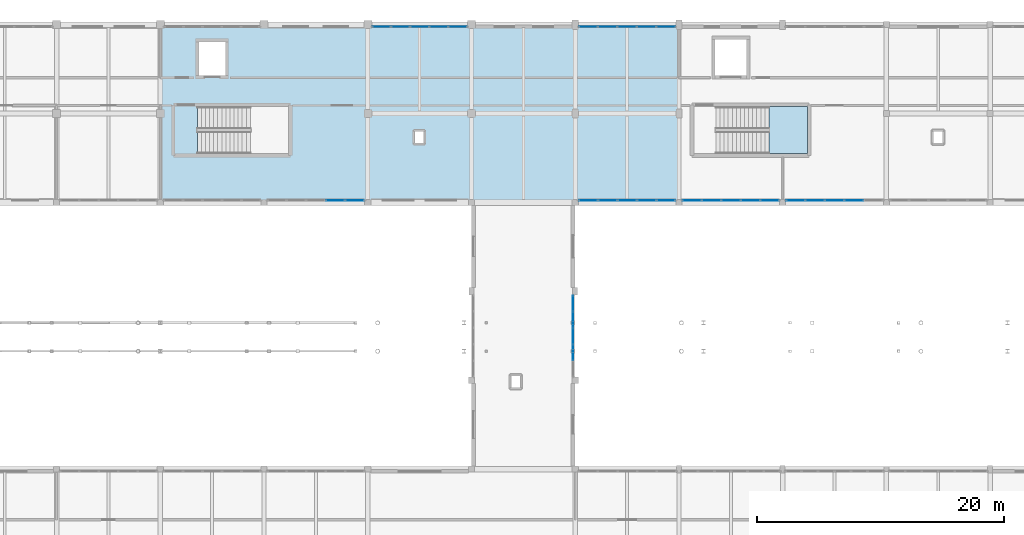
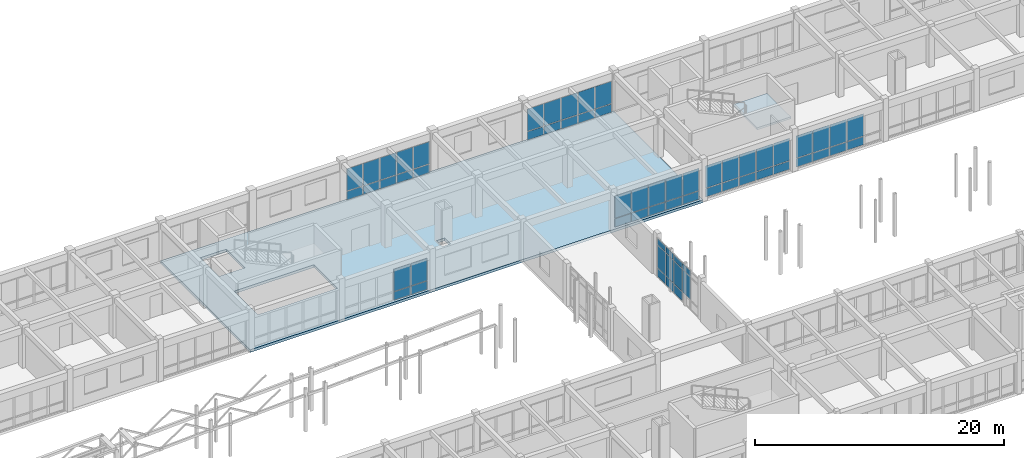
# One storey, part 67 of 89: 63 plates, 2 slabs, 8 elements without a shape of their own.
"""IFC4 building model written with IfcOpenShell, lengths in metres."""

from ifc_helpers import new_model, si_unit, direction, frame, origin, origin_2d, place, context, subcontext, project, spatial, polyline, rectangle, outline, extrude, material, layer, layer_set, type_object, element, aggregate, save


model = new_model("IFC4")

# Units and contexts
model_context = context("Model", 3, precision=1e-05, world=origin(), true_north=direction((0.0, 1.0)))
body_context = subcontext(model_context, "Body", "Model", "MODEL_VIEW")
ifc_project = project(units=[si_unit("LENGTHUNIT", "METRE"), si_unit("AREAUNIT", "SQUARE_METRE"), si_unit("VOLUMEUNIT", "CUBIC_METRE"), si_unit("PLANEANGLEUNIT", "RADIAN"), si_unit("MASSUNIT", "GRAM", prefix="KILO")], contexts=[model_context])

# Site, building, storey
site_placement = place(None, origin())
site = spatial("IfcSite", under=ifc_project, at=site_placement, CompositionType="ELEMENT")
building_placement = place(site_placement, origin())
building = spatial("IfcBuilding", under=site, at=building_placement, Name="Malvenik Polytechnic", CompositionType="ELEMENT")
storey_placement = place(building_placement, frame((0.0, 0.0, 13.5)))
storey = spatial("IfcBuildingStorey", under=building, at=storey_placement, Name="L03", CompositionType="ELEMENT", Elevation=13.5)

# Curtain wall, plates
ifc_material_1 = material(Name="Anodised aluminium 6060-T6", Category="aluminium")
curtain_wall_type_1 = type_object("IfcCurtainWallType", Name="ARC-CW-CW-02", PredefinedType="NOTDEFINED", material=ifc_material_1)
curtain_wall_1_placement = place(storey_placement, origin())
curtain_wall_1 = element("IfcCurtainWall", 1, at=curtain_wall_1_placement, inside=storey, type_object=curtain_wall_type_1, Name="Unitised Curtain Wall CW-02 L03 #168", PredefinedType="NOTDEFINED")
ifc_material_2 = material(Name="Insulated low-E double glazing 8-16-8", Category="glass")
ifc_layer_1 = layer(ifc_material_2, 0.028076171875)
ifc_layer_set_1 = layer_set([ifc_layer_1], Name="Insulated low-E double glazing 8-16-8")
plate_type_1 = type_object("IfcPlateType", Name="ARC-CWP-CP-GLZ28", PredefinedType="CURTAIN_PANEL", material=ifc_layer_set_1)
plate_1_placement = place(storey_placement, frame((66.146484375, 115.3701171875, 0.929931640625), z_axis=(0.0, 0.0, 1.0), x_axis=(-1.0, 0.0, 0.0)))
plate_1 = element("IfcPlate", 2, at=plate_1_placement, type_object=plate_type_1, Name="CW-02 panel 1.2", PredefinedType="CURTAIN_PANEL", context=body_context, shape_type="SweptSolid", body=[
    extrude(rectangle(XDim=1.49072265625, YDim=0.028076171875, at=origin_2d()), origin(), (0.0, 0.0, 1.0), 2.169921875),
])
plate_2_placement = place(storey_placement, frame((64.580810546875, 115.3701171875, 0.929931640625), z_axis=(0.0, 0.0, 1.0), x_axis=(-1.0, 0.0, 0.0)))
plate_2 = element("IfcPlate", 3, at=plate_2_placement, type_object=plate_type_1, Name="CW-02 panel 2.2", PredefinedType="CURTAIN_PANEL", context=body_context, shape_type="SweptSolid", body=[
    extrude(rectangle(XDim=1.520751953125, YDim=0.028076171875, at=origin_2d()), origin(), (0.0, 0.0, 1.0), 2.169921875),
])

curtain_wall_2_placement = place(storey_placement, origin())
curtain_wall_2 = element("IfcCurtainWall", 4, at=curtain_wall_2_placement, inside=storey, type_object=curtain_wall_type_1, Name="Unitised Curtain Wall CW-02 L03 #178", PredefinedType="NOTDEFINED")
plate_3_placement = place(storey_placement, frame((68.3134765625, 129.429931640625, 0.929931640625), z_axis=(0.0, 0.0, 1.0), x_axis=(1.0, 0.0, 0.0)))
plate_3 = element("IfcPlate", 5, at=plate_3_placement, type_object=plate_type_1, Name="CW-02 panel 1.2", PredefinedType="CURTAIN_PANEL", context=body_context, shape_type="SweptSolid", body=[
    extrude(rectangle(XDim=1.460693359375, YDim=0.028076171875, at=origin_2d()), origin(), (0.0, 0.0, 1.0), 2.169921875),
])
plate_4_placement = place(storey_placement, frame((69.84912109375, 129.429931640625, 0.929931640625), z_axis=(0.0, 0.0, 1.0), x_axis=(1.0, 0.0, 0.0)))
plate_4 = element("IfcPlate", 6, at=plate_4_placement, type_object=plate_type_1, Name="CW-02 panel 2.2", PredefinedType="CURTAIN_PANEL", context=body_context, shape_type="SweptSolid", body=[
    extrude(rectangle(XDim=1.49072265625, YDim=0.028076171875, at=origin_2d()), origin(), (0.0, 0.0, 1.0), 2.169921875),
])
plate_5_placement = place(storey_placement, frame((71.39990234375, 129.429931640625, 0.929931640625), z_axis=(0.0, 0.0, 1.0), x_axis=(1.0, 0.0, 0.0)))
plate_5 = element("IfcPlate", 7, at=plate_5_placement, type_object=plate_type_1, Name="CW-02 panel 3.2", PredefinedType="CURTAIN_PANEL", context=body_context, shape_type="SweptSolid", body=[
    extrude(rectangle(XDim=1.49072265625, YDim=0.028076171875, at=origin_2d()), origin(), (0.0, 0.0, 1.0), 2.169921875),
])
plate_6_placement = place(storey_placement, frame((72.95068359375, 129.429931640625, 0.929931640625), z_axis=(0.0, 0.0, 1.0), x_axis=(1.0, 0.0, 0.0)))
plate_6 = element("IfcPlate", 8, at=plate_6_placement, type_object=plate_type_1, Name="CW-02 panel 4.2", PredefinedType="CURTAIN_PANEL", context=body_context, shape_type="SweptSolid", body=[
    extrude(rectangle(XDim=1.49072265625, YDim=0.028076171875, at=origin_2d()), origin(), (0.0, 0.0, 1.0), 2.169921875),
])
plate_7_placement = place(storey_placement, frame((74.486572265625, 129.429931640625, 0.929931640625), z_axis=(0.0, 0.0, 1.0), x_axis=(1.0, 0.0, 0.0)))
plate_7 = element("IfcPlate", 9, at=plate_7_placement, type_object=plate_type_1, Name="CW-02 panel 5.2", PredefinedType="CURTAIN_PANEL", context=body_context, shape_type="SweptSolid", body=[
    extrude(rectangle(XDim=1.460693359375, YDim=0.028076171875, at=origin_2d()), origin(), (0.0, 0.0, 1.0), 2.169921875),
])

curtain_wall_3_placement = place(storey_placement, origin())
curtain_wall_3 = element("IfcCurtainWall", 10, at=curtain_wall_3_placement, inside=storey, type_object=curtain_wall_type_1, Name="Unitised Curtain Wall CW-02 L03 #179", PredefinedType="NOTDEFINED")
plate_8_placement = place(storey_placement, frame((85.053466796875, 129.429931640625, 0.929931640625), z_axis=(0.0, 0.0, 1.0), x_axis=(1.0, 0.0, 0.0)))
plate_8 = element("IfcPlate", 11, at=plate_8_placement, type_object=plate_type_1, Name="CW-02 panel 1.2", PredefinedType="CURTAIN_PANEL", context=body_context, shape_type="SweptSolid", body=[
    extrude(rectangle(XDim=1.49072265625, YDim=0.028076171875, at=origin_2d()), origin(), (0.0, 0.0, 1.0), 2.169921875),
])
plate_9_placement = place(storey_placement, frame((86.619140625, 129.429931640625, 0.929931640625), z_axis=(0.0, 0.0, 1.0), x_axis=(1.0, 0.0, 0.0)))
plate_9 = element("IfcPlate", 12, at=plate_9_placement, type_object=plate_type_1, Name="CW-02 panel 2.2", PredefinedType="CURTAIN_PANEL", context=body_context, shape_type="SweptSolid", body=[
    extrude(rectangle(XDim=1.520751953125, YDim=0.028076171875, at=origin_2d()), origin(), (0.0, 0.0, 1.0), 2.169921875),
])
plate_10_placement = place(storey_placement, frame((88.199951171875, 129.429931640625, 0.929931640625), z_axis=(0.0, 0.0, 1.0), x_axis=(1.0, 0.0, 0.0)))
plate_10 = element("IfcPlate", 13, at=plate_10_placement, type_object=plate_type_1, Name="CW-02 panel 3.2", PredefinedType="CURTAIN_PANEL", context=body_context, shape_type="SweptSolid", body=[
    extrude(rectangle(XDim=1.520751953125, YDim=0.028076171875, at=origin_2d()), origin(), (0.0, 0.0, 1.0), 2.169921875),
])
plate_11_placement = place(storey_placement, frame((89.78076171875, 129.429931640625, 0.929931640625), z_axis=(0.0, 0.0, 1.0), x_axis=(1.0, 0.0, 0.0)))
plate_11 = element("IfcPlate", 14, at=plate_11_placement, type_object=plate_type_1, Name="CW-02 panel 4.2", PredefinedType="CURTAIN_PANEL", context=body_context, shape_type="SweptSolid", body=[
    extrude(rectangle(XDim=1.520751953125, YDim=0.028076171875, at=origin_2d()), origin(), (0.0, 0.0, 1.0), 2.169921875),
])
plate_12_placement = place(storey_placement, frame((91.3466796875, 129.429931640625, 0.929931640625), z_axis=(0.0, 0.0, 1.0), x_axis=(1.0, 0.0, 0.0)))
plate_12 = element("IfcPlate", 15, at=plate_12_placement, type_object=plate_type_1, Name="CW-02 panel 5.2", PredefinedType="CURTAIN_PANEL", context=body_context, shape_type="SweptSolid", body=[
    extrude(rectangle(XDim=1.49072265625, YDim=0.028076171875, at=origin_2d()), origin(), (0.0, 0.0, 1.0), 2.169921875),
])

curtain_wall_4_placement = place(storey_placement, origin())
curtain_wall_4 = element("IfcCurtainWall", 16, at=curtain_wall_4_placement, inside=storey, type_object=curtain_wall_type_1, Name="Unitised Curtain Wall CW-02 L03 #184", PredefinedType="NOTDEFINED")
plate_13_placement = place(storey_placement, frame((106.580810546875, 115.3701171875, 0.929931640625), z_axis=(0.0, 0.0, 1.0), x_axis=(-1.0, 0.0, 0.0)))
plate_13 = element("IfcPlate", 17, at=plate_13_placement, type_object=plate_type_1, Name="CW-02 panel 2.2", PredefinedType="CURTAIN_PANEL", context=body_context, shape_type="SweptSolid", body=[
    extrude(rectangle(XDim=1.520751953125, YDim=0.028076171875, at=origin_2d()), origin(), (0.0, 0.0, 1.0), 2.169921875),
])
plate_14_placement = place(storey_placement, frame((105.0, 115.3701171875, 0.929931640625), z_axis=(0.0, 0.0, 1.0), x_axis=(-1.0, 0.0, 0.0)))
plate_14 = element("IfcPlate", 18, at=plate_14_placement, type_object=plate_type_1, Name="CW-02 panel 3.2", PredefinedType="CURTAIN_PANEL", context=body_context, shape_type="SweptSolid", body=[
    extrude(rectangle(XDim=1.520751953125, YDim=0.028076171875, at=origin_2d()), origin(), (0.0, 0.0, 1.0), 2.169921875),
])
plate_15_placement = place(storey_placement, frame((103.419189453125, 115.3701171875, 0.929931640625), z_axis=(0.0, 0.0, 1.0), x_axis=(-1.0, 0.0, 0.0)))
plate_15 = element("IfcPlate", 19, at=plate_15_placement, type_object=plate_type_1, Name="CW-02 panel 4.2", PredefinedType="CURTAIN_PANEL", context=body_context, shape_type="SweptSolid", body=[
    extrude(rectangle(XDim=1.520751953125, YDim=0.028076171875, at=origin_2d()), origin(), (0.0, 0.0, 1.0), 2.169921875),
])
plate_16_placement = place(storey_placement, frame((101.853515625, 115.3701171875, 0.929931640625), z_axis=(0.0, 0.0, 1.0), x_axis=(-1.0, 0.0, 0.0)))
plate_16 = element("IfcPlate", 20, at=plate_16_placement, type_object=plate_type_1, Name="CW-02 panel 5.2", PredefinedType="CURTAIN_PANEL", context=body_context, shape_type="SweptSolid", body=[
    extrude(rectangle(XDim=1.49072265625, YDim=0.028076171875, at=origin_2d()), origin(), (0.0, 0.0, 1.0), 2.169921875),
])

curtain_wall_5_placement = place(storey_placement, origin())
curtain_wall_5 = element("IfcCurtainWall", 21, at=curtain_wall_5_placement, inside=storey, type_object=curtain_wall_type_1, Name="Unitised Curtain Wall CW-02 L03 #185", PredefinedType="NOTDEFINED")
plate_17_placement = place(storey_placement, frame((99.74658203125, 115.3701171875, 0.929931640625), z_axis=(0.0, 0.0, 1.0), x_axis=(-1.0, 0.0, 0.0)))
plate_17 = element("IfcPlate", 22, at=plate_17_placement, type_object=plate_type_1, Name="CW-02 panel 1.2", PredefinedType="CURTAIN_PANEL", context=body_context, shape_type="SweptSolid", body=[
    extrude(rectangle(XDim=1.49072265625, YDim=0.028076171875, at=origin_2d()), origin(), (0.0, 0.0, 1.0), 2.169921875),
])
plate_18_placement = place(storey_placement, frame((98.180908203125, 115.3701171875, 0.929931640625), z_axis=(0.0, 0.0, 1.0), x_axis=(-1.0, 0.0, 0.0)))
plate_18 = element("IfcPlate", 23, at=plate_18_placement, type_object=plate_type_1, Name="CW-02 panel 2.2", PredefinedType="CURTAIN_PANEL", context=body_context, shape_type="SweptSolid", body=[
    extrude(rectangle(XDim=1.520751953125, YDim=0.028076171875, at=origin_2d()), origin(), (0.0, 0.0, 1.0), 2.169921875),
])
plate_19_placement = place(storey_placement, frame((96.60009765625, 115.3701171875, 0.929931640625), z_axis=(0.0, 0.0, 1.0), x_axis=(-1.0, 0.0, 0.0)))
plate_19 = element("IfcPlate", 24, at=plate_19_placement, type_object=plate_type_1, Name="CW-02 panel 3.2", PredefinedType="CURTAIN_PANEL", context=body_context, shape_type="SweptSolid", body=[
    extrude(rectangle(XDim=1.520751953125, YDim=0.028076171875, at=origin_2d()), origin(), (0.0, 0.0, 1.0), 2.169921875),
])
plate_20_placement = place(storey_placement, frame((95.019287109375, 115.3701171875, 0.929931640625), z_axis=(0.0, 0.0, 1.0), x_axis=(-1.0, 0.0, 0.0)))
plate_20 = element("IfcPlate", 25, at=plate_20_placement, type_object=plate_type_1, Name="CW-02 panel 4.2", PredefinedType="CURTAIN_PANEL", context=body_context, shape_type="SweptSolid", body=[
    extrude(rectangle(XDim=1.520751953125, YDim=0.028076171875, at=origin_2d()), origin(), (0.0, 0.0, 1.0), 2.169921875),
])
plate_21_placement = place(storey_placement, frame((93.453369140625, 115.3701171875, 0.929931640625), z_axis=(0.0, 0.0, 1.0), x_axis=(-1.0, 0.0, 0.0)))
plate_21 = element("IfcPlate", 26, at=plate_21_placement, type_object=plate_type_1, Name="CW-02 panel 5.2", PredefinedType="CURTAIN_PANEL", context=body_context, shape_type="SweptSolid", body=[
    extrude(rectangle(XDim=1.49072265625, YDim=0.028076171875, at=origin_2d()), origin(), (0.0, 0.0, 1.0), 2.169921875),
])

curtain_wall_6_placement = place(storey_placement, origin())
curtain_wall_6 = element("IfcCurtainWall", 27, at=curtain_wall_6_placement, inside=storey, type_object=curtain_wall_type_1, Name="Unitised Curtain Wall CW-02 L03 #186", PredefinedType="NOTDEFINED")
plate_22_placement = place(storey_placement, frame((91.3466796875, 115.3701171875, 0.929931640625), z_axis=(0.0, 0.0, 1.0), x_axis=(-1.0, 0.0, 0.0)))
plate_22 = element("IfcPlate", 28, at=plate_22_placement, type_object=plate_type_1, Name="CW-02 panel 1.2", PredefinedType="CURTAIN_PANEL", context=body_context, shape_type="SweptSolid", body=[
    extrude(rectangle(XDim=1.49072265625, YDim=0.028076171875, at=origin_2d()), origin(), (0.0, 0.0, 1.0), 2.169921875),
])
plate_23_placement = place(storey_placement, frame((89.78076171875, 115.3701171875, 0.929931640625), z_axis=(0.0, 0.0, 1.0), x_axis=(-1.0, 0.0, 0.0)))
plate_23 = element("IfcPlate", 29, at=plate_23_placement, type_object=plate_type_1, Name="CW-02 panel 2.2", PredefinedType="CURTAIN_PANEL", context=body_context, shape_type="SweptSolid", body=[
    extrude(rectangle(XDim=1.520751953125, YDim=0.028076171875, at=origin_2d()), origin(), (0.0, 0.0, 1.0), 2.169921875),
])
plate_24_placement = place(storey_placement, frame((88.199951171875, 115.3701171875, 0.929931640625), z_axis=(0.0, 0.0, 1.0), x_axis=(-1.0, 0.0, 0.0)))
plate_24 = element("IfcPlate", 30, at=plate_24_placement, type_object=plate_type_1, Name="CW-02 panel 3.2", PredefinedType="CURTAIN_PANEL", context=body_context, shape_type="SweptSolid", body=[
    extrude(rectangle(XDim=1.520751953125, YDim=0.028076171875, at=origin_2d()), origin(), (0.0, 0.0, 1.0), 2.169921875),
])
plate_25_placement = place(storey_placement, frame((86.619140625, 115.3701171875, 0.929931640625), z_axis=(0.0, 0.0, 1.0), x_axis=(-1.0, 0.0, 0.0)))
plate_25 = element("IfcPlate", 31, at=plate_25_placement, type_object=plate_type_1, Name="CW-02 panel 4.2", PredefinedType="CURTAIN_PANEL", context=body_context, shape_type="SweptSolid", body=[
    extrude(rectangle(XDim=1.520751953125, YDim=0.028076171875, at=origin_2d()), origin(), (0.0, 0.0, 1.0), 2.169921875),
])
plate_26_placement = place(storey_placement, frame((85.053466796875, 115.3701171875, 0.929931640625), z_axis=(0.0, 0.0, 1.0), x_axis=(-1.0, 0.0, 0.0)))
plate_26 = element("IfcPlate", 32, at=plate_26_placement, type_object=plate_type_1, Name="CW-02 panel 5.2", PredefinedType="CURTAIN_PANEL", context=body_context, shape_type="SweptSolid", body=[
    extrude(rectangle(XDim=1.49072265625, YDim=0.028076171875, at=origin_2d()), origin(), (0.0, 0.0, 1.0), 2.169921875),
])

curtain_wall_type_2 = type_object("IfcCurtainWallType", Name="ARC-CW-CW-04", PredefinedType="NOTDEFINED", material=ifc_material_1)
curtain_wall_7_placement = place(storey_placement, origin())
curtain_wall_7 = element("IfcCurtainWall", 33, at=curtain_wall_7_placement, inside=storey, type_object=curtain_wall_type_2, Name="Unitised Curtain Wall CW-04 L03 #187", PredefinedType="NOTDEFINED")
plate_27_placement = place(storey_placement, frame((83.830078125, 107.021484375, 0.97998046875), z_axis=(0.0, 0.0, 1.0), x_axis=(0.0, -1.0, 0.0)))
plate_27 = element("IfcPlate", 34, at=plate_27_placement, type_object=plate_type_1, Name="CW-04 panel 1.2", PredefinedType="CURTAIN_PANEL", context=body_context, shape_type="SweptSolid", body=[
    extrude(rectangle(XDim=1.24072265625, YDim=0.028076171875, at=origin_2d()), origin(), (0.0, 0.0, 1.0), 2.199951171875),
])
plate_28_placement = place(storey_placement, frame((83.830078125, 107.021484375, 3.239990234375), z_axis=(0.0, 0.0, 1.0), x_axis=(0.0, -1.0, 0.0)))
plate_28 = element("IfcPlate", 35, at=plate_28_placement, type_object=plate_type_1, Name="CW-04 panel 1.3", PredefinedType="CURTAIN_PANEL", context=body_context, shape_type="SweptSolid", body=[
    extrude(rectangle(XDim=1.24072265625, YDim=0.028076171875, at=origin_2d()), origin(), (0.0, 0.0, 1.0), 0.56005859375),
])
plate_29_placement = place(storey_placement, frame((83.830078125, 105.705810546875, 0.97998046875), z_axis=(0.0, 0.0, 1.0), x_axis=(0.0, -1.0, 0.0)))
plate_29 = element("IfcPlate", 36, at=plate_29_placement, type_object=plate_type_1, Name="CW-04 panel 2.2", PredefinedType="CURTAIN_PANEL", context=body_context, shape_type="SweptSolid", body=[
    extrude(rectangle(XDim=1.270751953125, YDim=0.028076171875, at=origin_2d()), origin(), (0.0, 0.0, 1.0), 2.199951171875),
])
plate_30_placement = place(storey_placement, frame((83.830078125, 105.705810546875, 3.239990234375), z_axis=(0.0, 0.0, 1.0), x_axis=(0.0, -1.0, 0.0)))
plate_30 = element("IfcPlate", 37, at=plate_30_placement, type_object=plate_type_1, Name="CW-04 panel 2.3", PredefinedType="CURTAIN_PANEL", context=body_context, shape_type="SweptSolid", body=[
    extrude(rectangle(XDim=1.270751953125, YDim=0.028076171875, at=origin_2d()), origin(), (0.0, 0.0, 1.0), 0.56005859375),
])
plate_31_placement = place(storey_placement, frame((83.830078125, 104.375, 0.97998046875), z_axis=(0.0, 0.0, 1.0), x_axis=(0.0, -1.0, 0.0)))
plate_31 = element("IfcPlate", 38, at=plate_31_placement, type_object=plate_type_1, Name="CW-04 panel 3.2", PredefinedType="CURTAIN_PANEL", context=body_context, shape_type="SweptSolid", body=[
    extrude(rectangle(XDim=1.270751953125, YDim=0.028076171875, at=origin_2d()), origin(), (0.0, 0.0, 1.0), 2.199951171875),
])
plate_32_placement = place(storey_placement, frame((83.830078125, 104.375, 3.239990234375), z_axis=(0.0, 0.0, 1.0), x_axis=(0.0, -1.0, 0.0)))
plate_32 = element("IfcPlate", 39, at=plate_32_placement, type_object=plate_type_1, Name="CW-04 panel 3.3", PredefinedType="CURTAIN_PANEL", context=body_context, shape_type="SweptSolid", body=[
    extrude(rectangle(XDim=1.270751953125, YDim=0.028076171875, at=origin_2d()), origin(), (0.0, 0.0, 1.0), 0.56005859375),
])
plate_33_placement = place(storey_placement, frame((83.830078125, 103.044189453125, 0.97998046875), z_axis=(0.0, 0.0, 1.0), x_axis=(0.0, -1.0, 0.0)))
plate_33 = element("IfcPlate", 40, at=plate_33_placement, type_object=plate_type_1, Name="CW-04 panel 4.2", PredefinedType="CURTAIN_PANEL", context=body_context, shape_type="SweptSolid", body=[
    extrude(rectangle(XDim=1.270751953125, YDim=0.028076171875, at=origin_2d()), origin(), (0.0, 0.0, 1.0), 2.199951171875),
])
plate_34_placement = place(storey_placement, frame((83.830078125, 103.044189453125, 3.239990234375), z_axis=(0.0, 0.0, 1.0), x_axis=(0.0, -1.0, 0.0)))
plate_34 = element("IfcPlate", 41, at=plate_34_placement, type_object=plate_type_1, Name="CW-04 panel 4.3", PredefinedType="CURTAIN_PANEL", context=body_context, shape_type="SweptSolid", body=[
    extrude(rectangle(XDim=1.270751953125, YDim=0.028076171875, at=origin_2d()), origin(), (0.0, 0.0, 1.0), 0.56005859375),
])

# Plate
ifc_material_3 = material(Name="Insulated aluminium spandrel cassette 42mm", Category="aluminium")
ifc_layer_2 = layer(ifc_material_3, 0.0419921875)
ifc_layer_set_2 = layer_set([ifc_layer_2], Name="Insulated aluminium spandrel cassette 42mm")
plate_type_2 = type_object("IfcPlateType", Name="ARC-CWP-CP-SPN42", PredefinedType="CURTAIN_PANEL", material=ifc_layer_set_2)
plate_35_placement = place(storey_placement, frame((66.146484375, 115.3701171875, 0.06005859375), z_axis=(0.0, 0.0, 1.0), x_axis=(-1.0, 0.0, 0.0)))
plate_35 = element("IfcPlate", 42, at=plate_35_placement, type_object=plate_type_2, Name="CW-02 panel 1.1", PredefinedType="CURTAIN_PANEL", context=body_context, shape_type="SweptSolid", body=[
    extrude(rectangle(XDim=1.49072265625, YDim=0.028076171875, at=origin_2d()), origin(), (0.0, 0.0, 1.0), 0.81005859375),
])

plate_36_placement = place(storey_placement, frame((64.580810546875, 115.3701171875, 0.06005859375), z_axis=(0.0, 0.0, 1.0), x_axis=(-1.0, 0.0, 0.0)))
plate_36 = element("IfcPlate", 43, at=plate_36_placement, type_object=plate_type_2, Name="CW-02 panel 2.1", PredefinedType="CURTAIN_PANEL", context=body_context, shape_type="SweptSolid", body=[
    extrude(rectangle(XDim=1.520751953125, YDim=0.028076171875, at=origin_2d()), origin(), (0.0, 0.0, 1.0), 0.81005859375),
])

aggregate(curtain_wall_1, [plate_35, plate_1, plate_36, plate_2])

plate_37_placement = place(storey_placement, frame((68.3134765625, 129.429931640625, 0.06005859375), z_axis=(0.0, 0.0, 1.0), x_axis=(1.0, 0.0, 0.0)))
plate_37 = element("IfcPlate", 44, at=plate_37_placement, type_object=plate_type_2, Name="CW-02 panel 1.1", PredefinedType="CURTAIN_PANEL", context=body_context, shape_type="SweptSolid", body=[
    extrude(rectangle(XDim=1.460693359375, YDim=0.028076171875, at=origin_2d()), origin(), (0.0, 0.0, 1.0), 0.81005859375),
])

plate_38_placement = place(storey_placement, frame((69.84912109375, 129.429931640625, 0.06005859375), z_axis=(0.0, 0.0, 1.0), x_axis=(1.0, 0.0, 0.0)))
plate_38 = element("IfcPlate", 45, at=plate_38_placement, type_object=plate_type_2, Name="CW-02 panel 2.1", PredefinedType="CURTAIN_PANEL", context=body_context, shape_type="SweptSolid", body=[
    extrude(rectangle(XDim=1.49072265625, YDim=0.028076171875, at=origin_2d()), origin(), (0.0, 0.0, 1.0), 0.81005859375),
])

plate_39_placement = place(storey_placement, frame((71.39990234375, 129.429931640625, 0.06005859375), z_axis=(0.0, 0.0, 1.0), x_axis=(1.0, 0.0, 0.0)))
plate_39 = element("IfcPlate", 46, at=plate_39_placement, type_object=plate_type_2, Name="CW-02 panel 3.1", PredefinedType="CURTAIN_PANEL", context=body_context, shape_type="SweptSolid", body=[
    extrude(rectangle(XDim=1.49072265625, YDim=0.028076171875, at=origin_2d()), origin(), (0.0, 0.0, 1.0), 0.81005859375),
])

plate_40_placement = place(storey_placement, frame((72.95068359375, 129.429931640625, 0.06005859375), z_axis=(0.0, 0.0, 1.0), x_axis=(1.0, 0.0, 0.0)))
plate_40 = element("IfcPlate", 47, at=plate_40_placement, type_object=plate_type_2, Name="CW-02 panel 4.1", PredefinedType="CURTAIN_PANEL", context=body_context, shape_type="SweptSolid", body=[
    extrude(rectangle(XDim=1.49072265625, YDim=0.028076171875, at=origin_2d()), origin(), (0.0, 0.0, 1.0), 0.81005859375),
])

plate_41_placement = place(storey_placement, frame((74.486572265625, 129.429931640625, 0.06005859375), z_axis=(0.0, 0.0, 1.0), x_axis=(1.0, 0.0, 0.0)))
plate_41 = element("IfcPlate", 48, at=plate_41_placement, type_object=plate_type_2, Name="CW-02 panel 5.1", PredefinedType="CURTAIN_PANEL", context=body_context, shape_type="SweptSolid", body=[
    extrude(rectangle(XDim=1.460693359375, YDim=0.028076171875, at=origin_2d()), origin(), (0.0, 0.0, 1.0), 0.81005859375),
])

aggregate(curtain_wall_2, [plate_37, plate_3, plate_38, plate_4, plate_39, plate_5, plate_40, plate_6, plate_41, plate_7])

plate_42_placement = place(storey_placement, frame((85.053466796875, 129.429931640625, 0.06005859375), z_axis=(0.0, 0.0, 1.0), x_axis=(1.0, 0.0, 0.0)))
plate_42 = element("IfcPlate", 49, at=plate_42_placement, type_object=plate_type_2, Name="CW-02 panel 1.1", PredefinedType="CURTAIN_PANEL", context=body_context, shape_type="SweptSolid", body=[
    extrude(rectangle(XDim=1.49072265625, YDim=0.028076171875, at=origin_2d()), origin(), (0.0, 0.0, 1.0), 0.81005859375),
])

plate_43_placement = place(storey_placement, frame((86.619140625, 129.429931640625, 0.06005859375), z_axis=(0.0, 0.0, 1.0), x_axis=(1.0, 0.0, 0.0)))
plate_43 = element("IfcPlate", 50, at=plate_43_placement, type_object=plate_type_2, Name="CW-02 panel 2.1", PredefinedType="CURTAIN_PANEL", context=body_context, shape_type="SweptSolid", body=[
    extrude(rectangle(XDim=1.520751953125, YDim=0.028076171875, at=origin_2d()), origin(), (0.0, 0.0, 1.0), 0.81005859375),
])

plate_44_placement = place(storey_placement, frame((88.199951171875, 129.429931640625, 0.06005859375), z_axis=(0.0, 0.0, 1.0), x_axis=(1.0, 0.0, 0.0)))
plate_44 = element("IfcPlate", 51, at=plate_44_placement, type_object=plate_type_2, Name="CW-02 panel 3.1", PredefinedType="CURTAIN_PANEL", context=body_context, shape_type="SweptSolid", body=[
    extrude(rectangle(XDim=1.520751953125, YDim=0.028076171875, at=origin_2d()), origin(), (0.0, 0.0, 1.0), 0.81005859375),
])

plate_45_placement = place(storey_placement, frame((89.78076171875, 129.429931640625, 0.06005859375), z_axis=(0.0, 0.0, 1.0), x_axis=(1.0, 0.0, 0.0)))
plate_45 = element("IfcPlate", 52, at=plate_45_placement, type_object=plate_type_2, Name="CW-02 panel 4.1", PredefinedType="CURTAIN_PANEL", context=body_context, shape_type="SweptSolid", body=[
    extrude(rectangle(XDim=1.520751953125, YDim=0.028076171875, at=origin_2d()), origin(), (0.0, 0.0, 1.0), 0.81005859375),
])

plate_46_placement = place(storey_placement, frame((91.3466796875, 129.429931640625, 0.06005859375), z_axis=(0.0, 0.0, 1.0), x_axis=(1.0, 0.0, 0.0)))
plate_46 = element("IfcPlate", 53, at=plate_46_placement, type_object=plate_type_2, Name="CW-02 panel 5.1", PredefinedType="CURTAIN_PANEL", context=body_context, shape_type="SweptSolid", body=[
    extrude(rectangle(XDim=1.49072265625, YDim=0.028076171875, at=origin_2d()), origin(), (0.0, 0.0, 1.0), 0.81005859375),
])

aggregate(curtain_wall_3, [plate_42, plate_8, plate_43, plate_9, plate_44, plate_10, plate_45, plate_11, plate_46, plate_12])

plate_47_placement = place(storey_placement, frame((106.580810546875, 115.3701171875, 0.06005859375), z_axis=(0.0, 0.0, 1.0), x_axis=(-1.0, 0.0, 0.0)))
plate_47 = element("IfcPlate", 54, at=plate_47_placement, type_object=plate_type_2, Name="CW-02 panel 2.1", PredefinedType="CURTAIN_PANEL", context=body_context, shape_type="SweptSolid", body=[
    extrude(rectangle(XDim=1.520751953125, YDim=0.028076171875, at=origin_2d()), origin(), (0.0, 0.0, 1.0), 0.81005859375),
])

plate_48_placement = place(storey_placement, frame((105.0, 115.3701171875, 0.06005859375), z_axis=(0.0, 0.0, 1.0), x_axis=(-1.0, 0.0, 0.0)))
plate_48 = element("IfcPlate", 55, at=plate_48_placement, type_object=plate_type_2, Name="CW-02 panel 3.1", PredefinedType="CURTAIN_PANEL", context=body_context, shape_type="SweptSolid", body=[
    extrude(rectangle(XDim=1.520751953125, YDim=0.028076171875, at=origin_2d()), origin(), (0.0, 0.0, 1.0), 0.81005859375),
])

plate_49_placement = place(storey_placement, frame((103.419189453125, 115.3701171875, 0.06005859375), z_axis=(0.0, 0.0, 1.0), x_axis=(-1.0, 0.0, 0.0)))
plate_49 = element("IfcPlate", 56, at=plate_49_placement, type_object=plate_type_2, Name="CW-02 panel 4.1", PredefinedType="CURTAIN_PANEL", context=body_context, shape_type="SweptSolid", body=[
    extrude(rectangle(XDim=1.520751953125, YDim=0.028076171875, at=origin_2d()), origin(), (0.0, 0.0, 1.0), 0.81005859375),
])

plate_50_placement = place(storey_placement, frame((101.853515625, 115.3701171875, 0.06005859375), z_axis=(0.0, 0.0, 1.0), x_axis=(-1.0, 0.0, 0.0)))
plate_50 = element("IfcPlate", 57, at=plate_50_placement, type_object=plate_type_2, Name="CW-02 panel 5.1", PredefinedType="CURTAIN_PANEL", context=body_context, shape_type="SweptSolid", body=[
    extrude(rectangle(XDim=1.49072265625, YDim=0.028076171875, at=origin_2d()), origin(), (0.0, 0.0, 1.0), 0.81005859375),
])

aggregate(curtain_wall_4, [plate_47, plate_13, plate_48, plate_14, plate_49, plate_15, plate_50, plate_16])

plate_51_placement = place(storey_placement, frame((99.74658203125, 115.3701171875, 0.06005859375), z_axis=(0.0, 0.0, 1.0), x_axis=(-1.0, 0.0, 0.0)))
plate_51 = element("IfcPlate", 58, at=plate_51_placement, type_object=plate_type_2, Name="CW-02 panel 1.1", PredefinedType="CURTAIN_PANEL", context=body_context, shape_type="SweptSolid", body=[
    extrude(rectangle(XDim=1.49072265625, YDim=0.028076171875, at=origin_2d()), origin(), (0.0, 0.0, 1.0), 0.81005859375),
])

plate_52_placement = place(storey_placement, frame((98.180908203125, 115.3701171875, 0.06005859375), z_axis=(0.0, 0.0, 1.0), x_axis=(-1.0, 0.0, 0.0)))
plate_52 = element("IfcPlate", 59, at=plate_52_placement, type_object=plate_type_2, Name="CW-02 panel 2.1", PredefinedType="CURTAIN_PANEL", context=body_context, shape_type="SweptSolid", body=[
    extrude(rectangle(XDim=1.520751953125, YDim=0.028076171875, at=origin_2d()), origin(), (0.0, 0.0, 1.0), 0.81005859375),
])

plate_53_placement = place(storey_placement, frame((96.60009765625, 115.3701171875, 0.06005859375), z_axis=(0.0, 0.0, 1.0), x_axis=(-1.0, 0.0, 0.0)))
plate_53 = element("IfcPlate", 60, at=plate_53_placement, type_object=plate_type_2, Name="CW-02 panel 3.1", PredefinedType="CURTAIN_PANEL", context=body_context, shape_type="SweptSolid", body=[
    extrude(rectangle(XDim=1.520751953125, YDim=0.028076171875, at=origin_2d()), origin(), (0.0, 0.0, 1.0), 0.81005859375),
])

plate_54_placement = place(storey_placement, frame((95.019287109375, 115.3701171875, 0.06005859375), z_axis=(0.0, 0.0, 1.0), x_axis=(-1.0, 0.0, 0.0)))
plate_54 = element("IfcPlate", 61, at=plate_54_placement, type_object=plate_type_2, Name="CW-02 panel 4.1", PredefinedType="CURTAIN_PANEL", context=body_context, shape_type="SweptSolid", body=[
    extrude(rectangle(XDim=1.520751953125, YDim=0.028076171875, at=origin_2d()), origin(), (0.0, 0.0, 1.0), 0.81005859375),
])

plate_55_placement = place(storey_placement, frame((93.453369140625, 115.3701171875, 0.06005859375), z_axis=(0.0, 0.0, 1.0), x_axis=(-1.0, 0.0, 0.0)))
plate_55 = element("IfcPlate", 62, at=plate_55_placement, type_object=plate_type_2, Name="CW-02 panel 5.1", PredefinedType="CURTAIN_PANEL", context=body_context, shape_type="SweptSolid", body=[
    extrude(rectangle(XDim=1.49072265625, YDim=0.028076171875, at=origin_2d()), origin(), (0.0, 0.0, 1.0), 0.81005859375),
])

aggregate(curtain_wall_5, [plate_51, plate_17, plate_52, plate_18, plate_53, plate_19, plate_54, plate_20, plate_55, plate_21])

plate_56_placement = place(storey_placement, frame((91.3466796875, 115.3701171875, 0.06005859375), z_axis=(0.0, 0.0, 1.0), x_axis=(-1.0, 0.0, 0.0)))
plate_56 = element("IfcPlate", 63, at=plate_56_placement, type_object=plate_type_2, Name="CW-02 panel 1.1", PredefinedType="CURTAIN_PANEL", context=body_context, shape_type="SweptSolid", body=[
    extrude(rectangle(XDim=1.49072265625, YDim=0.028076171875, at=origin_2d()), origin(), (0.0, 0.0, 1.0), 0.81005859375),
])

plate_57_placement = place(storey_placement, frame((89.78076171875, 115.3701171875, 0.06005859375), z_axis=(0.0, 0.0, 1.0), x_axis=(-1.0, 0.0, 0.0)))
plate_57 = element("IfcPlate", 64, at=plate_57_placement, type_object=plate_type_2, Name="CW-02 panel 2.1", PredefinedType="CURTAIN_PANEL", context=body_context, shape_type="SweptSolid", body=[
    extrude(rectangle(XDim=1.520751953125, YDim=0.028076171875, at=origin_2d()), origin(), (0.0, 0.0, 1.0), 0.81005859375),
])

plate_58_placement = place(storey_placement, frame((88.199951171875, 115.3701171875, 0.06005859375), z_axis=(0.0, 0.0, 1.0), x_axis=(-1.0, 0.0, 0.0)))
plate_58 = element("IfcPlate", 65, at=plate_58_placement, type_object=plate_type_2, Name="CW-02 panel 3.1", PredefinedType="CURTAIN_PANEL", context=body_context, shape_type="SweptSolid", body=[
    extrude(rectangle(XDim=1.520751953125, YDim=0.028076171875, at=origin_2d()), origin(), (0.0, 0.0, 1.0), 0.81005859375),
])

plate_59_placement = place(storey_placement, frame((86.619140625, 115.3701171875, 0.06005859375), z_axis=(0.0, 0.0, 1.0), x_axis=(-1.0, 0.0, 0.0)))
plate_59 = element("IfcPlate", 66, at=plate_59_placement, type_object=plate_type_2, Name="CW-02 panel 4.1", PredefinedType="CURTAIN_PANEL", context=body_context, shape_type="SweptSolid", body=[
    extrude(rectangle(XDim=1.520751953125, YDim=0.028076171875, at=origin_2d()), origin(), (0.0, 0.0, 1.0), 0.81005859375),
])

plate_60_placement = place(storey_placement, frame((85.053466796875, 115.3701171875, 0.06005859375), z_axis=(0.0, 0.0, 1.0), x_axis=(-1.0, 0.0, 0.0)))
plate_60 = element("IfcPlate", 67, at=plate_60_placement, type_object=plate_type_2, Name="CW-02 panel 5.1", PredefinedType="CURTAIN_PANEL", context=body_context, shape_type="SweptSolid", body=[
    extrude(rectangle(XDim=1.49072265625, YDim=0.028076171875, at=origin_2d()), origin(), (0.0, 0.0, 1.0), 0.81005859375),
])

aggregate(curtain_wall_6, [plate_56, plate_22, plate_57, plate_23, plate_58, plate_24, plate_59, plate_25, plate_60, plate_26])

plate_61_placement = place(storey_placement, frame((83.830078125, 107.021484375, 0.06005859375), z_axis=(0.0, 0.0, 1.0), x_axis=(0.0, -1.0, 0.0)))
plate_61 = element("IfcPlate", 68, at=plate_61_placement, type_object=plate_type_2, Name="CW-04 panel 1.1", PredefinedType="CURTAIN_PANEL", context=body_context, shape_type="SweptSolid", body=[
    extrude(rectangle(XDim=1.24072265625, YDim=0.028076171875, at=origin_2d()), origin(), (0.0, 0.0, 1.0), 0.860107421875),
])

plate_62_placement = place(storey_placement, frame((83.830078125, 105.705810546875, 0.06005859375), z_axis=(0.0, 0.0, 1.0), x_axis=(0.0, -1.0, 0.0)))
plate_62 = element("IfcPlate", 69, at=plate_62_placement, type_object=plate_type_2, Name="CW-04 panel 2.1", PredefinedType="CURTAIN_PANEL", context=body_context, shape_type="SweptSolid", body=[
    extrude(rectangle(XDim=1.270751953125, YDim=0.028076171875, at=origin_2d()), origin(), (0.0, 0.0, 1.0), 0.860107421875),
])

plate_63_placement = place(storey_placement, frame((83.830078125, 104.375, 0.06005859375), z_axis=(0.0, 0.0, 1.0), x_axis=(0.0, -1.0, 0.0)))
plate_63 = element("IfcPlate", 70, at=plate_63_placement, type_object=plate_type_2, Name="CW-04 panel 3.1", PredefinedType="CURTAIN_PANEL", context=body_context, shape_type="SweptSolid", body=[
    extrude(rectangle(XDim=1.270751953125, YDim=0.028076171875, at=origin_2d()), origin(), (0.0, 0.0, 1.0), 0.860107421875),
])

aggregate(curtain_wall_7, [plate_61, plate_27, plate_28, plate_62, plate_29, plate_30, plate_63, plate_31, plate_32, plate_33, plate_34])

# Stair, slab
ifc_material_4 = material(Name="Concrete C35/45", Category="concrete")
stair_type = type_object("IfcStairType", Name="ARC-STR-ST-03", PredefinedType="HALF_TURN_STAIR", material=ifc_material_4)
stair_placement = place(storey_placement, origin())
stair = element("IfcStair", 71, at=stair_placement, inside=storey, type_object=stair_type, Name="L03 Escape Stair ST-03", PredefinedType="HALF_TURN_STAIR")
ifc_layer_3 = layer(ifc_material_4, 0.199951171875)
ifc_layer_set_3 = layer_set([ifc_layer_3], Name="Concrete C35/45")
slab_type_1 = type_object("IfcSlabType", Name="ARC-SLB-STLND", PredefinedType="LANDING", material=ifc_layer_set_3)
slab_1_placement = place(storey_placement, frame((0.0, 0.0, 1.89990234375)))
slab_1 = element("IfcSlab", 72, at=slab_1_placement, type_object=slab_type_1, Name="ST-03 landing 1", PredefinedType="LANDING", context=body_context, shape_type="SweptSolid", body=[
    extrude(outline(polyline([(99.68994140625, 119.14990234375), (102.800048828125, 119.14990234375), (102.800048828125, 122.949951171875), (99.68994140625, 122.949951171875), (99.68994140625, 119.14990234375)])), origin(), (0.0, 0.0, 1.0), 0.2001953125),
])
aggregate(stair, [slab_1])

# Slab
ifc_layer_4 = layer(ifc_material_4, 0.260009765625)
ifc_layer_set_4 = layer_set([ifc_layer_4], Name="Concrete C35/45")
slab_type_2 = type_object("IfcSlabType", Name="STR-SLB-FLR-260", PredefinedType="FLOOR", material=ifc_layer_set_4)
slab_2_placement = place(storey_placement, frame((0.0, 0.0, -0.260009765625)))
element("IfcSlab", 73, at=slab_2_placement, inside=storey, type_object=slab_type_2, Name="Structural Slab L03-V1 #81", PredefinedType="FLOOR", context=body_context, shape_type="SweptSolid", body=[
    extrude(outline(polyline([(92.3798828125, 129.60009765625), (92.3798828125, 115.199951171875), (50.419921875, 115.199951171875), (50.419921875, 129.60009765625), (92.3798828125, 129.60009765625)]), holes=[polyline([(55.800048828125, 128.35009765625), (53.39990234375, 128.35009765625), (53.39990234375, 125.35009765625), (55.800048828125, 125.35009765625), (55.800048828125, 128.35009765625)]), polyline([(71.0, 120.949951171875), (71.0, 120.0), (71.75, 120.0), (71.75, 120.949951171875), (71.0, 120.949951171875)]), polyline([(60.800048828125, 122.949951171875), (53.41796875, 122.949951171875), (53.41796875, 119.14990234375), (60.800048828125, 119.14990234375), (60.800048828125, 122.949951171875)])]), origin(), (0.0, 0.0, 1.0), 0.260009765625),
])

save(model, "model.ifc")
